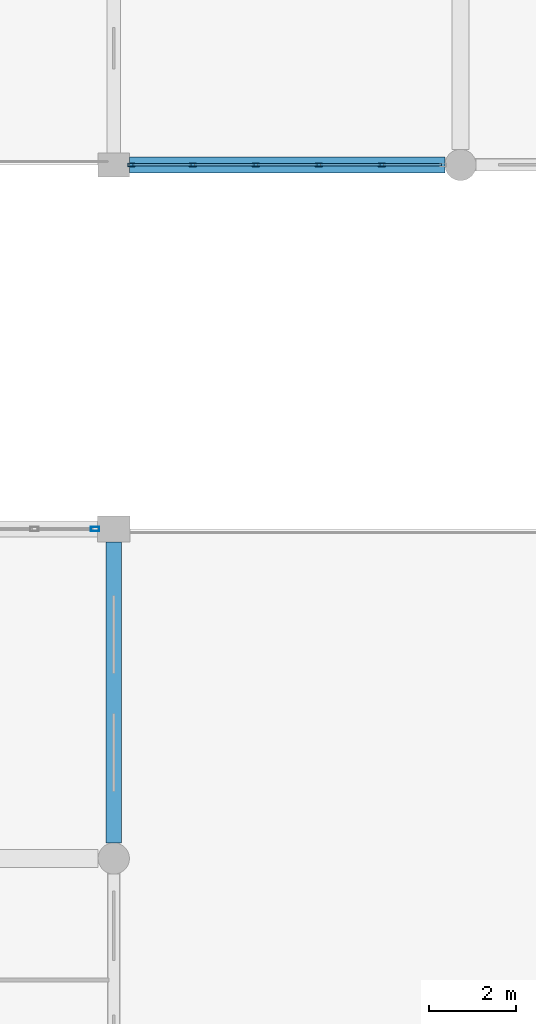
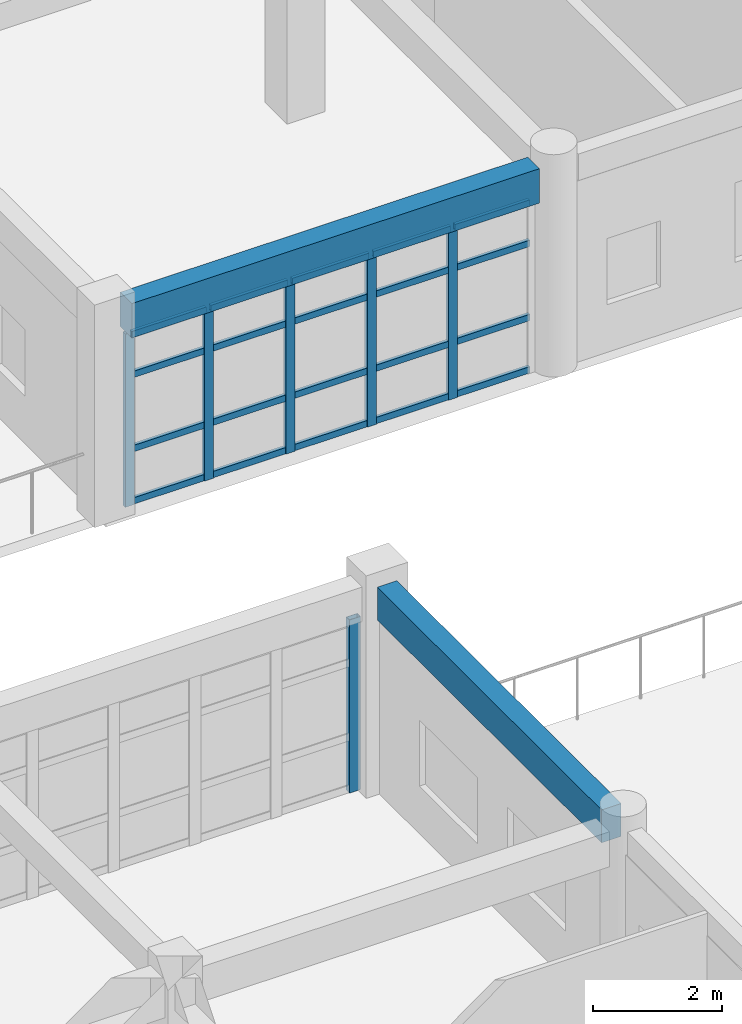
# One storey, part 123 of 195: 26 members, 2 beams, 2 elements without a shape of their own.
"""IFC4 building model written with IfcOpenShell, lengths in metres."""

from ifc_helpers import new_model, si_unit, direction, frame, origin, origin_2d, place, context, subcontext, project, spatial, rectangle, hollow_rectangle, extrude, material, material_profile, profile_set, type_object, element, aggregate, save


model = new_model("IFC4")

# Units and contexts
model_context = context("Model", 3, precision=1e-05, world=origin(), true_north=direction((0.0, 1.0)))
body_context = subcontext(model_context, "Body", "Model", "MODEL_VIEW")
ifc_project = project(units=[si_unit("LENGTHUNIT", "METRE"), si_unit("AREAUNIT", "SQUARE_METRE"), si_unit("VOLUMEUNIT", "CUBIC_METRE"), si_unit("PLANEANGLEUNIT", "RADIAN"), si_unit("MASSUNIT", "GRAM", prefix="KILO")], contexts=[model_context])

# Site, building, storey
site_placement = place(None, origin())
site = spatial("IfcSite", under=ifc_project, at=site_placement, CompositionType="ELEMENT")
building_placement = place(site_placement, origin())
building = spatial("IfcBuilding", under=site, at=building_placement, Name="Kharva Crest Polytechnic", CompositionType="ELEMENT")
storey_placement = place(building_placement, frame((0.0, 0.0, 9.0)))
storey = spatial("IfcBuildingStorey", under=building, at=storey_placement, Name="L02", CompositionType="ELEMENT", Elevation=9.0)

# Curtain wall, members
ifc_material_1 = material(Name="Tempered insulated glass", Category="glass")
curtain_wall_type_1 = type_object("IfcCurtainWallType", Name="CW-SYS-COURT", PredefinedType="USERDEFINED", material=ifc_material_1)
curtain_wall_1_placement = place(storey_placement, origin())
curtain_wall_1 = element("IfcCurtainWall", 1, at=curtain_wall_1_placement, inside=storey, type_object=curtain_wall_type_1, Name="L02 Glazed Curtain Wall CW-101", ObjectType="CURTAIN WALL", PredefinedType="USERDEFINED")
ifc_material_2 = material(Name="Steel S355", Category="steel")
ifc_material_profile_1 = material_profile(ifc_material_2, hollow_rectangle(XDim=0.080078125, YDim=0.159912109375, WallThickness=0.0048828125, at=origin_2d()), Name="RHS 160X80X5.0")
ifc_profile_set_1 = profile_set([ifc_material_profile_1], Name="Steel S355")
member_type_1 = type_object("IfcMemberType", Name="CWM-RHS160X80", PredefinedType="MULLION", material=ifc_profile_set_1)
member_1_placement = place(storey_placement, frame((153.205078125, 38.800048828125, 0.0), z_axis=(0.0, 0.0, 1.0), x_axis=(0.0, 1.0, 0.0)))
member_1 = element("IfcMember", 2, at=member_1_placement, type_object=member_type_1, Name="CW-101 mullion 1", PredefinedType="MULLION", context=body_context, shape_type="SweptSolid", body=[
    extrude(hollow_rectangle(XDim=0.080078125, YDim=0.159912109375, WallThickness=0.0048828125, at=origin_2d()), origin(), (0.0, 0.0, 1.0), 3.27001953125),
])
member_2_placement = place(storey_placement, frame((154.618896484375, 38.800048828125, 0.0), z_axis=(0.0, 0.0, 1.0), x_axis=(0.0, 1.0, 0.0)))
member_2 = element("IfcMember", 3, at=member_2_placement, type_object=member_type_1, Name="CW-101 mullion 2", PredefinedType="MULLION", context=body_context, shape_type="SweptSolid", body=[
    extrude(hollow_rectangle(XDim=0.080078125, YDim=0.159912109375, WallThickness=0.0048828125, at=origin_2d()), origin(), (0.0, 0.0, 1.0), 3.27001953125),
])
member_3_placement = place(storey_placement, frame((156.072998046875, 38.800048828125, 0.0), z_axis=(0.0, 0.0, 1.0), x_axis=(0.0, 1.0, 0.0)))
member_3 = element("IfcMember", 4, at=member_3_placement, type_object=member_type_1, Name="CW-101 mullion 3", PredefinedType="MULLION", context=body_context, shape_type="SweptSolid", body=[
    extrude(hollow_rectangle(XDim=0.080078125, YDim=0.159912109375, WallThickness=0.0048828125, at=origin_2d()), origin(), (0.0, 0.0, 1.0), 3.27001953125),
])
member_4_placement = place(storey_placement, frame((157.527099609375, 38.800048828125, 0.0), z_axis=(0.0, 0.0, 1.0), x_axis=(0.0, 1.0, 0.0)))
member_4 = element("IfcMember", 5, at=member_4_placement, type_object=member_type_1, Name="CW-101 mullion 4", PredefinedType="MULLION", context=body_context, shape_type="SweptSolid", body=[
    extrude(hollow_rectangle(XDim=0.080078125, YDim=0.159912109375, WallThickness=0.0048828125, at=origin_2d()), origin(), (0.0, 0.0, 1.0), 3.27001953125),
])
member_5_placement = place(storey_placement, frame((158.98095703125, 38.800048828125, 0.0), z_axis=(0.0, 0.0, 1.0), x_axis=(0.0, 1.0, 0.0)))
member_5 = element("IfcMember", 6, at=member_5_placement, type_object=member_type_1, Name="CW-101 mullion 5", PredefinedType="MULLION", context=body_context, shape_type="SweptSolid", body=[
    extrude(hollow_rectangle(XDim=0.080078125, YDim=0.159912109375, WallThickness=0.0048828125, at=origin_2d()), origin(), (0.0, 0.0, 1.0), 3.27001953125),
])

# Curtain wall, member
curtain_wall_type_2 = type_object("IfcCurtainWallType", Name="CW-SYS-REFECTORY", PredefinedType="USERDEFINED", material=ifc_material_1)
curtain_wall_2_placement = place(storey_placement, origin())
curtain_wall_2 = element("IfcCurtainWall", 7, at=curtain_wall_2_placement, inside=storey, type_object=curtain_wall_type_2, Name="L02 Glazed Curtain Wall CW-096", ObjectType="CURTAIN WALL", PredefinedType="USERDEFINED")
ifc_material_profile_2 = material_profile(ifc_material_2, hollow_rectangle(XDim=0.10009765625, YDim=0.199951171875, WallThickness=0.00634765625, at=origin_2d()), Name="RHS 200X100X6.3")
ifc_profile_set_2 = profile_set([ifc_material_profile_2], Name="Steel S355")
member_type_2 = type_object("IfcMemberType", Name="CWM-RHS200X100", PredefinedType="MULLION", material=ifc_profile_set_2)
member_6_placement = place(storey_placement, frame((152.3701171875, 30.39990234375, 0.0), z_axis=(0.0, 0.0, 1.0), x_axis=(0.0, -1.0, 0.0)))
member_6 = element("IfcMember", 8, at=member_6_placement, type_object=member_type_2, Name="CW-096 mullion 1", PredefinedType="MULLION", context=body_context, shape_type="SweptSolid", body=[
    extrude(hollow_rectangle(XDim=0.10009765625, YDim=0.199951171875, WallThickness=0.00634765625, at=origin_2d()), origin(), (0.0, 0.0, 1.0), 3.27001953125),
])
aggregate(curtain_wall_2, [member_6])

# Member
ifc_material_profile_3 = material_profile(ifc_material_2, hollow_rectangle(XDim=0.06005859375, YDim=0.1201171875, WallThickness=0.00390625, at=origin_2d()), Name="RHS 120X60X4.0")
ifc_profile_set_3 = profile_set([ifc_material_profile_3], Name="Steel S355")
member_type_3 = type_object("IfcMemberType", Name="CWT-RHS120X60", PredefinedType="USERDEFINED", material=ifc_profile_set_3)
member_7_placement = place(storey_placement, frame((153.2451171875, 38.800048828125, 0.06005859375), z_axis=(1.0, 0.0, 0.0), x_axis=(0.0, 1.0, 0.0)))
member_7 = element("IfcMember", 9, at=member_7_placement, type_object=member_type_3, Name="CW-101 transom 1.1", ObjectType="TRANSOM", PredefinedType="USERDEFINED", context=body_context, shape_type="SweptSolid", body=[
    extrude(hollow_rectangle(XDim=0.06005859375, YDim=0.1201171875, WallThickness=0.00390625, at=origin_2d()), origin(), (0.0, 0.0, 1.0), 1.333984375),
])

member_8_placement = place(storey_placement, frame((153.2451171875, 38.800048828125, 1.050048828125), z_axis=(1.0, 0.0, 0.0), x_axis=(0.0, 1.0, 0.0)))
member_8 = element("IfcMember", 10, at=member_8_placement, type_object=member_type_3, Name="CW-101 transom 1.2", ObjectType="TRANSOM", PredefinedType="USERDEFINED", context=body_context, shape_type="SweptSolid", body=[
    extrude(hollow_rectangle(XDim=0.06005859375, YDim=0.1201171875, WallThickness=0.00390625, at=origin_2d()), origin(), (0.0, 0.0, 1.0), 1.333984375),
])

member_9_placement = place(storey_placement, frame((153.2451171875, 38.800048828125, 2.449951171875), z_axis=(1.0, 0.0, 0.0), x_axis=(0.0, 1.0, 0.0)))
member_9 = element("IfcMember", 11, at=member_9_placement, type_object=member_type_3, Name="CW-101 transom 1.3", ObjectType="TRANSOM", PredefinedType="USERDEFINED", context=body_context, shape_type="SweptSolid", body=[
    extrude(hollow_rectangle(XDim=0.06005859375, YDim=0.1201171875, WallThickness=0.00390625, at=origin_2d()), origin(), (0.0, 0.0, 1.0), 1.333984375),
])

member_10_placement = place(storey_placement, frame((153.2451171875, 38.800048828125, 3.2099609375), z_axis=(1.0, 0.0, 0.0), x_axis=(0.0, 1.0, 0.0)))
member_10 = element("IfcMember", 12, at=member_10_placement, type_object=member_type_3, Name="CW-101 transom 1.4", ObjectType="TRANSOM", PredefinedType="USERDEFINED", context=body_context, shape_type="SweptSolid", body=[
    extrude(hollow_rectangle(XDim=0.06005859375, YDim=0.1201171875, WallThickness=0.00390625, at=origin_2d()), origin(), (0.0, 0.0, 1.0), 1.333984375),
])

member_11_placement = place(storey_placement, frame((154.658935546875, 38.800048828125, 0.06005859375), z_axis=(1.0, 0.0, 0.0), x_axis=(0.0, 1.0, 0.0)))
member_11 = element("IfcMember", 13, at=member_11_placement, type_object=member_type_3, Name="CW-101 transom 2.1", ObjectType="TRANSOM", PredefinedType="USERDEFINED", context=body_context, shape_type="SweptSolid", body=[
    extrude(hollow_rectangle(XDim=0.06005859375, YDim=0.1201171875, WallThickness=0.00390625, at=origin_2d()), origin(), (0.0, 0.0, 1.0), 1.3740234375),
])

member_12_placement = place(storey_placement, frame((154.658935546875, 38.800048828125, 1.050048828125), z_axis=(1.0, 0.0, 0.0), x_axis=(0.0, 1.0, 0.0)))
member_12 = element("IfcMember", 14, at=member_12_placement, type_object=member_type_3, Name="CW-101 transom 2.2", ObjectType="TRANSOM", PredefinedType="USERDEFINED", context=body_context, shape_type="SweptSolid", body=[
    extrude(hollow_rectangle(XDim=0.06005859375, YDim=0.1201171875, WallThickness=0.00390625, at=origin_2d()), origin(), (0.0, 0.0, 1.0), 1.3740234375),
])

member_13_placement = place(storey_placement, frame((154.658935546875, 38.800048828125, 2.449951171875), z_axis=(1.0, 0.0, 0.0), x_axis=(0.0, 1.0, 0.0)))
member_13 = element("IfcMember", 15, at=member_13_placement, type_object=member_type_3, Name="CW-101 transom 2.3", ObjectType="TRANSOM", PredefinedType="USERDEFINED", context=body_context, shape_type="SweptSolid", body=[
    extrude(hollow_rectangle(XDim=0.06005859375, YDim=0.1201171875, WallThickness=0.00390625, at=origin_2d()), origin(), (0.0, 0.0, 1.0), 1.3740234375),
])

member_14_placement = place(storey_placement, frame((154.658935546875, 38.800048828125, 3.2099609375), z_axis=(1.0, 0.0, 0.0), x_axis=(0.0, 1.0, 0.0)))
member_14 = element("IfcMember", 16, at=member_14_placement, type_object=member_type_3, Name="CW-101 transom 2.4", ObjectType="TRANSOM", PredefinedType="USERDEFINED", context=body_context, shape_type="SweptSolid", body=[
    extrude(hollow_rectangle(XDim=0.06005859375, YDim=0.1201171875, WallThickness=0.00390625, at=origin_2d()), origin(), (0.0, 0.0, 1.0), 1.3740234375),
])

member_15_placement = place(storey_placement, frame((156.113037109375, 38.800048828125, 0.06005859375), z_axis=(1.0, 0.0, 0.0), x_axis=(0.0, 1.0, 0.0)))
member_15 = element("IfcMember", 17, at=member_15_placement, type_object=member_type_3, Name="CW-101 transom 3.1", ObjectType="TRANSOM", PredefinedType="USERDEFINED", context=body_context, shape_type="SweptSolid", body=[
    extrude(hollow_rectangle(XDim=0.06005859375, YDim=0.1201171875, WallThickness=0.00390625, at=origin_2d()), origin(), (0.0, 0.0, 1.0), 1.3740234375),
])

member_16_placement = place(storey_placement, frame((156.113037109375, 38.800048828125, 1.050048828125), z_axis=(1.0, 0.0, 0.0), x_axis=(0.0, 1.0, 0.0)))
member_16 = element("IfcMember", 18, at=member_16_placement, type_object=member_type_3, Name="CW-101 transom 3.2", ObjectType="TRANSOM", PredefinedType="USERDEFINED", context=body_context, shape_type="SweptSolid", body=[
    extrude(hollow_rectangle(XDim=0.06005859375, YDim=0.1201171875, WallThickness=0.00390625, at=origin_2d()), origin(), (0.0, 0.0, 1.0), 1.3740234375),
])

member_17_placement = place(storey_placement, frame((156.113037109375, 38.800048828125, 2.449951171875), z_axis=(1.0, 0.0, 0.0), x_axis=(0.0, 1.0, 0.0)))
member_17 = element("IfcMember", 19, at=member_17_placement, type_object=member_type_3, Name="CW-101 transom 3.3", ObjectType="TRANSOM", PredefinedType="USERDEFINED", context=body_context, shape_type="SweptSolid", body=[
    extrude(hollow_rectangle(XDim=0.06005859375, YDim=0.1201171875, WallThickness=0.00390625, at=origin_2d()), origin(), (0.0, 0.0, 1.0), 1.3740234375),
])

member_18_placement = place(storey_placement, frame((156.113037109375, 38.800048828125, 3.2099609375), z_axis=(1.0, 0.0, 0.0), x_axis=(0.0, 1.0, 0.0)))
member_18 = element("IfcMember", 20, at=member_18_placement, type_object=member_type_3, Name="CW-101 transom 3.4", ObjectType="TRANSOM", PredefinedType="USERDEFINED", context=body_context, shape_type="SweptSolid", body=[
    extrude(hollow_rectangle(XDim=0.06005859375, YDim=0.1201171875, WallThickness=0.00390625, at=origin_2d()), origin(), (0.0, 0.0, 1.0), 1.3740234375),
])

member_19_placement = place(storey_placement, frame((157.56689453125, 38.800048828125, 0.06005859375), z_axis=(1.0, 0.0, 0.0), x_axis=(0.0, 1.0, 0.0)))
member_19 = element("IfcMember", 21, at=member_19_placement, type_object=member_type_3, Name="CW-101 transom 4.1", ObjectType="TRANSOM", PredefinedType="USERDEFINED", context=body_context, shape_type="SweptSolid", body=[
    extrude(hollow_rectangle(XDim=0.06005859375, YDim=0.1201171875, WallThickness=0.00390625, at=origin_2d()), origin(), (0.0, 0.0, 1.0), 1.3740234375),
])

member_20_placement = place(storey_placement, frame((157.56689453125, 38.800048828125, 1.050048828125), z_axis=(1.0, 0.0, 0.0), x_axis=(0.0, 1.0, 0.0)))
member_20 = element("IfcMember", 22, at=member_20_placement, type_object=member_type_3, Name="CW-101 transom 4.2", ObjectType="TRANSOM", PredefinedType="USERDEFINED", context=body_context, shape_type="SweptSolid", body=[
    extrude(hollow_rectangle(XDim=0.06005859375, YDim=0.1201171875, WallThickness=0.00390625, at=origin_2d()), origin(), (0.0, 0.0, 1.0), 1.3740234375),
])

member_21_placement = place(storey_placement, frame((157.56689453125, 38.800048828125, 2.449951171875), z_axis=(1.0, 0.0, 0.0), x_axis=(0.0, 1.0, 0.0)))
member_21 = element("IfcMember", 23, at=member_21_placement, type_object=member_type_3, Name="CW-101 transom 4.3", ObjectType="TRANSOM", PredefinedType="USERDEFINED", context=body_context, shape_type="SweptSolid", body=[
    extrude(hollow_rectangle(XDim=0.06005859375, YDim=0.1201171875, WallThickness=0.00390625, at=origin_2d()), origin(), (0.0, 0.0, 1.0), 1.3740234375),
])

member_22_placement = place(storey_placement, frame((157.56689453125, 38.800048828125, 3.2099609375), z_axis=(1.0, 0.0, 0.0), x_axis=(0.0, 1.0, 0.0)))
member_22 = element("IfcMember", 24, at=member_22_placement, type_object=member_type_3, Name="CW-101 transom 4.4", ObjectType="TRANSOM", PredefinedType="USERDEFINED", context=body_context, shape_type="SweptSolid", body=[
    extrude(hollow_rectangle(XDim=0.06005859375, YDim=0.1201171875, WallThickness=0.00390625, at=origin_2d()), origin(), (0.0, 0.0, 1.0), 1.3740234375),
])

member_23_placement = place(storey_placement, frame((159.02099609375, 38.800048828125, 0.06005859375), z_axis=(1.0, 0.0, 0.0), x_axis=(0.0, 1.0, 0.0)))
member_23 = element("IfcMember", 25, at=member_23_placement, type_object=member_type_3, Name="CW-101 transom 5.1", ObjectType="TRANSOM", PredefinedType="USERDEFINED", context=body_context, shape_type="SweptSolid", body=[
    extrude(hollow_rectangle(XDim=0.06005859375, YDim=0.1201171875, WallThickness=0.00390625, at=origin_2d()), origin(), (0.0, 0.0, 1.0), 1.333984375),
])

member_24_placement = place(storey_placement, frame((159.02099609375, 38.800048828125, 1.050048828125), z_axis=(1.0, 0.0, 0.0), x_axis=(0.0, 1.0, 0.0)))
member_24 = element("IfcMember", 26, at=member_24_placement, type_object=member_type_3, Name="CW-101 transom 5.2", ObjectType="TRANSOM", PredefinedType="USERDEFINED", context=body_context, shape_type="SweptSolid", body=[
    extrude(hollow_rectangle(XDim=0.06005859375, YDim=0.1201171875, WallThickness=0.00390625, at=origin_2d()), origin(), (0.0, 0.0, 1.0), 1.333984375),
])

member_25_placement = place(storey_placement, frame((159.02099609375, 38.800048828125, 2.449951171875), z_axis=(1.0, 0.0, 0.0), x_axis=(0.0, 1.0, 0.0)))
member_25 = element("IfcMember", 27, at=member_25_placement, type_object=member_type_3, Name="CW-101 transom 5.3", ObjectType="TRANSOM", PredefinedType="USERDEFINED", context=body_context, shape_type="SweptSolid", body=[
    extrude(hollow_rectangle(XDim=0.06005859375, YDim=0.1201171875, WallThickness=0.00390625, at=origin_2d()), origin(), (0.0, 0.0, 1.0), 1.333984375),
])

member_26_placement = place(storey_placement, frame((159.02099609375, 38.800048828125, 3.2099609375), z_axis=(1.0, 0.0, 0.0), x_axis=(0.0, 1.0, 0.0)))
member_26 = element("IfcMember", 28, at=member_26_placement, type_object=member_type_3, Name="CW-101 transom 5.4", ObjectType="TRANSOM", PredefinedType="USERDEFINED", context=body_context, shape_type="SweptSolid", body=[
    extrude(hollow_rectangle(XDim=0.06005859375, YDim=0.1201171875, WallThickness=0.00390625, at=origin_2d()), origin(), (0.0, 0.0, 1.0), 1.333984375),
])

aggregate(curtain_wall_1, [member_1, member_2, member_3, member_4, member_5, member_7, member_8, member_9, member_10, member_11, member_12, member_13, member_14, member_15, member_16, member_17, member_18, member_19, member_20, member_21, member_22, member_23, member_24, member_25, member_26])

# Beams
ifc_material_3 = material(Name="Concrete C35/45", Category="concrete")
ifc_material_profile_4 = material_profile(ifc_material_3, rectangle(XDim=0.35009765625, YDim=0.6201171875, at=origin_2d()), Name="RECT 350 X 620")
ifc_profile_set_4 = profile_set([ifc_material_profile_4], Name="Concrete C35/45")
beam_type_1 = type_object("IfcBeamType", Name="SP-RC-350X620", PredefinedType="SPANDREL", material=ifc_profile_set_4)
beam_1_placement = place(storey_placement, frame((152.800048828125, 23.159912109375, 3.610107421875), z_axis=(0.0, 1.0, 0.0), x_axis=(-1.0, 0.0, 0.0)))
element("IfcBeam", 29, at=beam_1_placement, inside=storey, type_object=beam_type_1, Name="L02 Girder 20/D-E", PredefinedType="SPANDREL", context=body_context, shape_type="SweptSolid", body=[
    extrude(rectangle(XDim=0.35009765625, YDim=0.6201171875, at=origin_2d()), origin(), (0.0, 0.0, 1.0), 6.940185546875),
])
ifc_material_profile_5 = material_profile(ifc_material_3, rectangle(XDim=0.360107421875, YDim=0.64990234375, at=origin_2d()), Name="RECT 360 X 650")
ifc_profile_set_5 = profile_set([ifc_material_profile_5], Name="Concrete C35/45")
beam_type_2 = type_object("IfcBeamType", Name="SP-RC-360X650", PredefinedType="SPANDREL", material=ifc_profile_set_5)
beam_2_placement = place(storey_placement, frame((153.159912109375, 38.800048828125, 3.594970703125), z_axis=(1.0, 0.0, 0.0), x_axis=(0.0, 1.0, 0.0)))
element("IfcBeam", 30, at=beam_2_placement, inside=storey, type_object=beam_type_2, Name="L02 Beam FJ/20-21", PredefinedType="SPANDREL", context=body_context, shape_type="SweptSolid", body=[
    extrude(rectangle(XDim=0.360107421875, YDim=0.64990234375, at=origin_2d()), origin(), (0.0, 0.0, 1.0), 7.280029296875),
])

save(model, "model.ifc")
